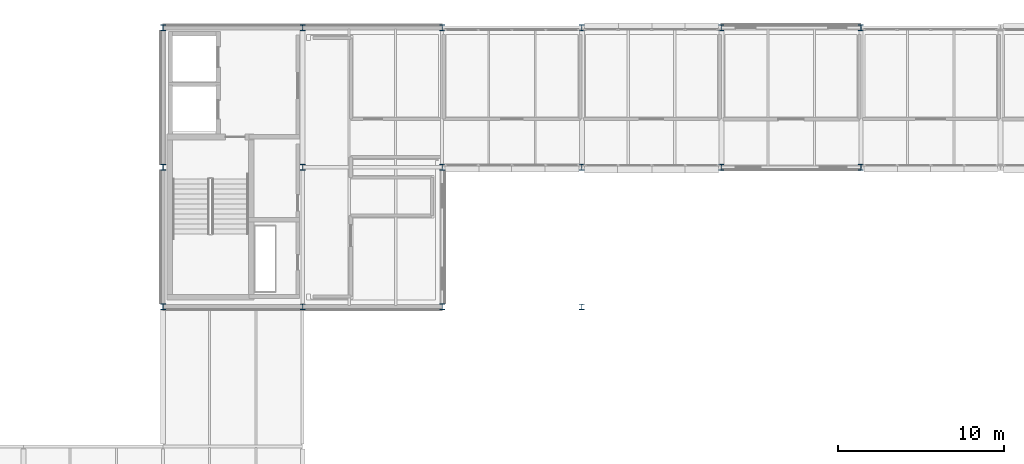
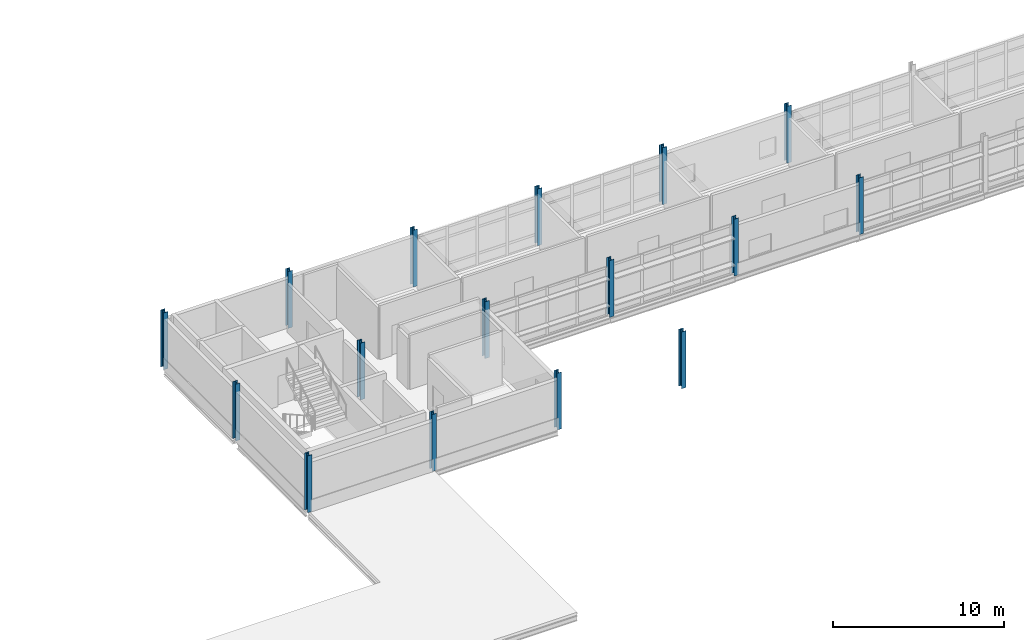
# One storey, part 1 of 66: 16 columns.
"""IFC4 building model written with IfcOpenShell, lengths in metres."""

from ifc_helpers import new_model, si_unit, direction, frame, origin, origin_2d, place, context, subcontext, project, spatial, i_section, extrude, material, material_profile, profile_set, type_object, element, save


model = new_model("IFC4")

# Units and contexts
model_context = context("Model", 3, precision=1e-05, world=origin(), true_north=direction((0.0, 1.0)))
body_context = subcontext(model_context, "Body", "Model", "MODEL_VIEW")
ifc_project = project(units=[si_unit("LENGTHUNIT", "METRE"), si_unit("AREAUNIT", "SQUARE_METRE"), si_unit("VOLUMEUNIT", "CUBIC_METRE"), si_unit("PLANEANGLEUNIT", "RADIAN"), si_unit("MASSUNIT", "GRAM", prefix="KILO")], contexts=[model_context])

# Site, building, storey
site_placement = place(None, origin())
site = spatial("IfcSite", under=ifc_project, at=site_placement, CompositionType="ELEMENT")
building_placement = place(site_placement, origin())
building = spatial("IfcBuilding", under=site, at=building_placement, Name="Mersafa Astral City Hall", CompositionType="ELEMENT")
storey_placement = place(building_placement, frame((0.0, 0.0, 22.050048828125)))
storey = spatial("IfcBuildingStorey", under=building, at=storey_placement, Name="L05", CompositionType="ELEMENT", Elevation=22.050048828125)

# Columns
ifc_material = material(Name="Steel S355", Category="steel")
ifc_material_profile_1 = material_profile(ifc_material, i_section(OverallWidth=0.300048828125, OverallDepth=0.340087890625, WebThickness=0.011962890625, FlangeThickness=0.021484375, FilletRadius=0.027099609375, at=origin_2d()), Name="HEB 340")
ifc_profile_set_1 = profile_set([ifc_material_profile_1], Name="Steel S355")
column_type_1 = type_object("IfcColumnType", Name="STR-COL-HEB340", PredefinedType="COLUMN", material=ifc_profile_set_1)
for number, where, z_axis, x_axis, name in (
    (1, (42.0, 117.60009765625, 0.0), (0.0, 0.0, 1.0), (1.0, 0.0, 0.0), "L05 Structural column G-05-14"),
    (2, (50.39990234375, 109.199951171875, 0.0), (0.0, 0.0, 1.0), (1.0, 0.0, 0.0), "L05 Structural column G-06-13"),
    (3, (50.39990234375, 126.0, 0.0), (0.0, 0.0, 1.0), (1.0, 0.0, 0.0), "L05 Structural column G-06-15"),
    (4, (58.800048828125, 117.60009765625, 0.0), (0.0, 0.0, 1.0), (1.0, 0.0, 0.0), "L05 Structural column G-07-14"),
    (5, (67.199951171875, 109.199951171875, 0.0), (0.0, 0.0, 1.0), (1.0, 0.0, 0.0), "L05 Structural column G-08-13"),
    (6, (67.199951171875, 126.0, 0.0), (0.0, 0.0, 1.0), (1.0, 0.0, 0.0), "L05 Structural column G-08-15"),
    (7, (75.60009765625, 117.60009765625, 0.0), (0.0, 0.0, 1.0), (1.0, 0.0, 0.0), "L05 Structural column G-09-14"),
    (8, (84.0, 126.0, 0.0), (0.0, 0.0, 1.0), (1.0, 0.0, 0.0), "L05 Structural column G-10-15"),
):
    element("IfcColumn", number, at=place(storey_placement, frame(where, z_axis=z_axis, x_axis=x_axis)), inside=storey, type_object=column_type_1, Name=name, PredefinedType="COLUMN", context=body_context, shape_type="SweptSolid", body=[
        extrude(i_section(OverallWidth=0.300048828125, OverallDepth=0.340087890625, WebThickness=0.011962890625, FlangeThickness=0.021484375, FilletRadius=0.027099609375, at=origin_2d()), origin(), (0.0, 0.0, 1.0), 4.050048828125),
    ])
ifc_material_profile_2 = material_profile(ifc_material, i_section(OverallWidth=0.300048828125, OverallDepth=0.360107421875, WebThickness=0.012451171875, FlangeThickness=0.0224609375, FilletRadius=0.027099609375, at=origin_2d()), Name="HEB 360")
ifc_profile_set_2 = profile_set([ifc_material_profile_2], Name="Steel S355")
column_type_2 = type_object("IfcColumnType", Name="STR-COL-HEB360", PredefinedType="COLUMN", material=ifc_profile_set_2)
for number, where, z_axis, x_axis, name in (
    (9, (42.0, 109.199951171875, 0.0), (0.0, 0.0, 1.0), (1.0, 0.0, 0.0), "L05 Structural column G-05-13"),
    (10, (42.0, 126.0, 0.0), (0.0, 0.0, 1.0), (1.0, 0.0, 0.0), "L05 Structural column G-05-15"),
    (11, (50.39990234375, 117.60009765625, 0.0), (0.0, 0.0, 1.0), (1.0, 0.0, 0.0), "L05 Structural column G-06-14"),
    (12, (58.800048828125, 109.199951171875, 0.0), (0.0, 0.0, 1.0), (1.0, 0.0, 0.0), "L05 Structural column G-07-13"),
    (13, (58.800048828125, 126.0, 0.0), (0.0, 0.0, 1.0), (1.0, 0.0, 0.0), "L05 Structural column G-07-15"),
    (14, (67.199951171875, 117.60009765625, 0.0), (0.0, 0.0, 1.0), (1.0, 0.0, 0.0), "L05 Structural column G-08-14"),
    (15, (75.60009765625, 126.0, 0.0), (0.0, 0.0, 1.0), (1.0, 0.0, 0.0), "L05 Structural column G-09-15"),
    (16, (84.0, 117.60009765625, 0.0), (0.0, 0.0, 1.0), (1.0, 0.0, 0.0), "L05 Structural column G-10-14"),
):
    element("IfcColumn", number, at=place(storey_placement, frame(where, z_axis=z_axis, x_axis=x_axis)), inside=storey, type_object=column_type_2, Name=name, PredefinedType="COLUMN", context=body_context, shape_type="SweptSolid", body=[
        extrude(i_section(OverallWidth=0.300048828125, OverallDepth=0.360107421875, WebThickness=0.012451171875, FlangeThickness=0.0224609375, FilletRadius=0.027099609375, at=origin_2d()), origin(), (0.0, 0.0, 1.0), 4.050048828125),
    ])

save(model, "model.ifc")
